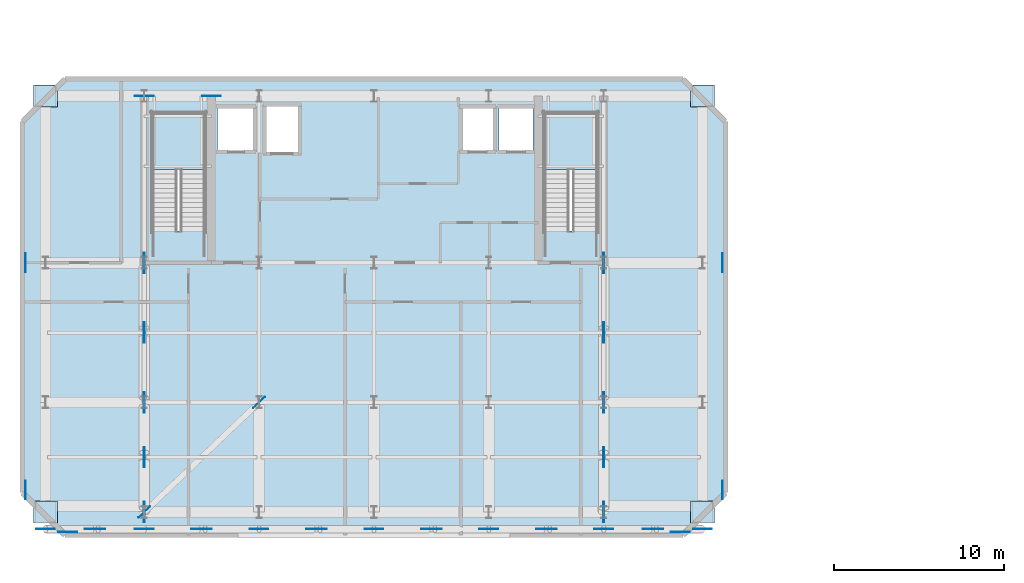
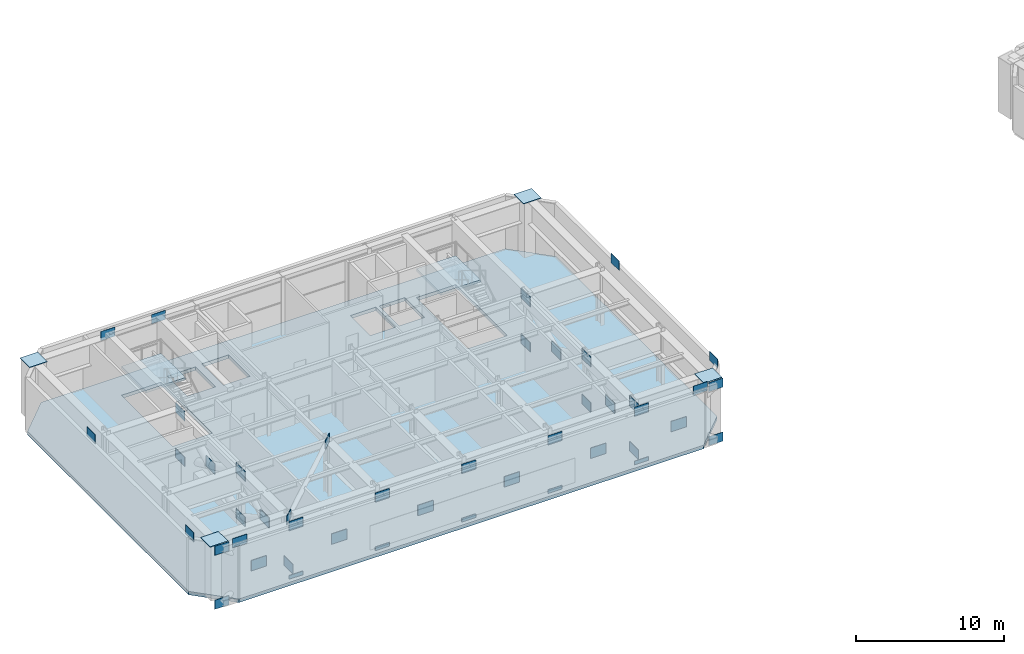
# One storey, part 6 of 15: 49 plates, 3 slabs, 2 elements without a shape of their own.
"""IFC4 building model written with IfcOpenShell, lengths in metres."""

from ifc_helpers import new_model, si_unit, direction, frame, origin, origin_2d, place, context, subcontext, project, spatial, polyline, rectangle, outline, extrude, material, layer, layer_set, type_object, element, aggregate, save


model = new_model("IFC4")

# Units and contexts
model_context = context("Model", 3, precision=1e-05, world=origin(), true_north=direction((0.0, 1.0)))
body_context = subcontext(model_context, "Body", "Model", "MODEL_VIEW")
ifc_project = project(units=[si_unit("LENGTHUNIT", "METRE"), si_unit("AREAUNIT", "SQUARE_METRE"), si_unit("VOLUMEUNIT", "CUBIC_METRE"), si_unit("PLANEANGLEUNIT", "RADIAN"), si_unit("MASSUNIT", "GRAM", prefix="KILO")], contexts=[model_context])

# Site, building, storey
site_placement = place(None, origin())
site = spatial("IfcSite", under=ifc_project, at=site_placement, CompositionType="ELEMENT")
building_placement = place(site_placement, origin())
building = spatial("IfcBuilding", under=site, at=building_placement, Name="Haevon Station Towers", CompositionType="ELEMENT")
storey_placement = place(building_placement, frame((0.0, 0.0, 192.300048828125)))
storey = spatial("IfcBuildingStorey", under=building, at=storey_placement, Name="L53", CompositionType="ELEMENT", Elevation=192.300048828125)

# Plates
ifc_material_1 = material(Name="PL-FLG1", Category="steel")
ifc_layer_1 = layer(ifc_material_1, 0.044921875)
ifc_layer_set_1 = layer_set([ifc_layer_1], Name="PL-FLG1")
plate_type_1 = type_object("IfcPlateType", Name="PL-FLG1", PredefinedType="USERDEFINED", material=ifc_layer_set_1)
for number, where, z_axis, x_axis, name in (
    (1, (18.199951171875, 23.550048828125, 4.5), (0.0, 0.0, 1.0), (1.0, 0.0, 0.0), "PL-CAP-T1-L53-01-01"),
    (2, (18.199951171875, 48.0, 4.5), (0.0, 0.0, 1.0), (1.0, 0.0, 0.0), "PL-CAP-T1-L53-01-04"),
    (3, (56.800048828125, 23.550048828125, 4.5), (0.0, 0.0, 1.0), (1.0, 0.0, 0.0), "PL-CAP-T1-L53-07-01"),
    (4, (56.800048828125, 48.0, 4.5), (0.0, 0.0, 1.0), (1.0, 0.0, 0.0), "PL-CAP-T1-L53-07-04"),
):
    element("IfcPlate", number, at=place(storey_placement, frame(where, z_axis=z_axis, x_axis=x_axis)), inside=storey, type_object=plate_type_1, Name=name, ObjectType="FLANGE_PLATE", PredefinedType="USERDEFINED", context=body_context, shape_type="SweptSolid", body=[
        extrude(rectangle(XDim=1.389892578125, YDim=1.2900390625, at=origin_2d()), origin(), (0.0, 0.0, 1.0), 0.0400390625),
    ])
ifc_material_2 = material(Name="PL-FLG2", Category="steel")
ifc_layer_2 = layer(ifc_material_2, 0.035888671875)
ifc_layer_set_2 = layer_set([ifc_layer_2], Name="PL-FLG2")
plate_type_2 = type_object("IfcPlateType", Name="PL-FLG2", PredefinedType="USERDEFINED", material=ifc_layer_set_2)
for number, where, z_axis, x_axis, name in (
    (5, (24.0, 23.550048828125, 3.98974609375), (0.0, 0.0, 1.0), (0.722991261815, 0.690857174342, 0.0), "PL-T1TIE-L53-E1"),
    (6, (30.75, 30.0, 3.98974609375), (0.0, 0.0, 1.0), (0.722991261815, 0.690857174342, 0.0), "PL-T1TIE-L53-E2"),
):
    element("IfcPlate", number, at=place(storey_placement, frame(where, z_axis=z_axis, x_axis=x_axis)), inside=storey, type_object=plate_type_2, Name=name, ObjectType="FLANGE_PLATE", PredefinedType="USERDEFINED", context=body_context, shape_type="SweptSolid", body=[
        extrude(rectangle(XDim=0.949951171875, YDim=0.035888671875, at=origin_2d()), origin(), (0.0, 0.0, 1.0), 0.699951171875),
    ])
ifc_material_3 = material(Name="PL-GUS2", Category="steel")
ifc_layer_3 = layer(ifc_material_3, 0.031982421875)
ifc_layer_set_3 = layer_set([ifc_layer_3], Name="PL-GUS2")
plate_type_3 = type_object("IfcPlateType", Name="PL-GUS2", PredefinedType="USERDEFINED", material=ifc_layer_set_3)
for number, where, z_axis, x_axis, name in (
    (7, (24.0, 26.77490234375, 1.824951171875), (0.0, 0.0, 1.0), (0.0, 1.0, 0.0), "PL-T1OUTX-L53-1-1"),
    (8, (24.0, 34.10009765625, 1.824951171875), (0.0, 0.0, 1.0), (0.0, 1.0, 0.0), "PL-T1OUTX-L53-1-2"),
    (9, (24.0, 23.550048828125, -0.0751953125), (0.0, 0.0, 1.0), (0.0, 1.0, 0.0), "PL-T1OUTGUS-L53-1-1B"),
    (10, (24.0, 30.0, -0.0751953125), (0.0, 0.0, 1.0), (0.0, 1.0, 0.0), "PL-T1OUTGUS-L53-1-2B"),
    (11, (24.0, 30.0, 3.724853515625), (0.0, 0.0, 1.0), (0.0, 1.0, 0.0), "PL-T1OUTGUS-L53-1-2T"),
    (12, (24.0, 38.199951171875, -0.0751953125), (0.0, 0.0, 1.0), (0.0, 1.0, 0.0), "PL-T1OUTGUS-L53-1-3B"),
    (13, (24.0, 38.199951171875, 3.724853515625), (0.0, 0.0, 1.0), (0.0, 1.0, 0.0), "PL-T1OUTGUS-L53-1-3T"),
    (14, (51.0, 26.77490234375, 1.824951171875), (0.0, 0.0, 1.0), (0.0, 1.0, 0.0), "PL-T1OUTX-L53-2-1"),
    (15, (51.0, 34.10009765625, 1.824951171875), (0.0, 0.0, 1.0), (0.0, 1.0, 0.0), "PL-T1OUTX-L53-2-2"),
    (16, (51.0, 23.550048828125, -0.0751953125), (0.0, 0.0, 1.0), (0.0, 1.0, 0.0), "PL-T1OUTGUS-L53-2-1B"),
    (17, (51.0, 23.550048828125, 3.724853515625), (0.0, 0.0, 1.0), (0.0, 1.0, 0.0), "PL-T1OUTGUS-L53-2-1T"),
    (18, (51.0, 30.0, -0.0751953125), (0.0, 0.0, 1.0), (0.0, 1.0, 0.0), "PL-T1OUTGUS-L53-2-2B"),
    (19, (51.0, 30.0, 3.724853515625), (0.0, 0.0, 1.0), (0.0, 1.0, 0.0), "PL-T1OUTGUS-L53-2-2T"),
    (20, (51.0, 38.199951171875, -0.0751953125), (0.0, 0.0, 1.0), (0.0, 1.0, 0.0), "PL-T1OUTGUS-L53-2-3B"),
    (21, (51.0, 38.199951171875, 3.724853515625), (0.0, 0.0, 1.0), (0.0, 1.0, 0.0), "PL-T1OUTGUS-L53-2-3T"),
    (22, (21.10009765625, 22.550048828125, 1.724853515625), (0.0, 0.0, 1.0), (1.0, 0.0, 0.0), "PL-T1BLTX-L53-1"),
    (23, (27.375, 22.550048828125, 1.724853515625), (0.0, 0.0, 1.0), (1.0, 0.0, 0.0), "PL-T1BLTX-L53-2"),
    (24, (34.125, 22.550048828125, 1.724853515625), (0.0, 0.0, 1.0), (1.0, 0.0, 0.0), "PL-T1BLTX-L53-3"),
    (25, (40.875, 22.550048828125, 1.724853515625), (0.0, 0.0, 1.0), (1.0, 0.0, 0.0), "PL-T1BLTX-L53-4"),
    (26, (47.625, 22.550048828125, 1.724853515625), (0.0, 0.0, 1.0), (1.0, 0.0, 0.0), "PL-T1BLTX-L53-5"),
    (27, (53.89990234375, 22.550048828125, 1.724853515625), (0.0, 0.0, 1.0), (1.0, 0.0, 0.0), "PL-T1BLTX-L53-6"),
):
    element("IfcPlate", number, at=place(storey_placement, frame(where, z_axis=z_axis, x_axis=x_axis)), inside=storey, type_object=plate_type_3, Name=name, ObjectType="GUSSET_PLATE", PredefinedType="USERDEFINED", context=body_context, shape_type="SweptSolid", body=[
        extrude(rectangle(XDim=1.199951171875, YDim=0.031982421875, at=origin_2d()), origin(), (0.0, 0.0, 1.0), 0.85009765625),
    ])
ifc_material_4 = material(Name="PL-SPL1", Category="steel")
ifc_layer_4 = layer(ifc_material_4, 0.031982421875)
ifc_layer_set_4 = layer_set([ifc_layer_4], Name="PL-SPL1")
plate_type_4 = type_object("IfcPlateType", Name="PL-SPL1", PredefinedType="USERDEFINED", material=ifc_layer_set_4)
for number, where, z_axis, x_axis, name in (
    (28, (19.5, 22.3798828125, 4.27490234375), (0.0, 0.0, 1.0), (1.0, 0.0, 0.0), "PL-T1SPL-T07-S-3"),
    (29, (55.5, 22.3798828125, 4.27490234375), (0.0, 0.0, 1.0), (1.0, 0.0, 0.0), "PL-T1SPL-T07-S-4"),
    (30, (24.0, 48.0, 4.27490234375), (0.0, 0.0, 1.0), (1.0, 0.0, 0.0), "PL-T1SPL-T07-N-3"),
    (31, (27.949951171875, 48.0, 4.27490234375), (0.0, 0.0, 1.0), (1.0, 0.0, 0.0), "PL-T1SPL-T07-N-4"),
    (32, (17.030029296875, 24.85009765625, 4.27490234375), (0.0, 0.0, 1.0), (0.0, 1.0, 0.0), "PL-T1SPL-T07-W-3"),
    (33, (17.030029296875, 38.199951171875, 4.27490234375), (0.0, 0.0, 1.0), (0.0, 1.0, 0.0), "PL-T1SPL-T07-W-4"),
    (34, (57.969970703125, 24.85009765625, 4.27490234375), (0.0, 0.0, 1.0), (0.0, 1.0, 0.0), "PL-T1SPL-T07-E-3"),
    (35, (57.969970703125, 38.199951171875, 4.27490234375), (0.0, 0.0, 1.0), (0.0, 1.0, 0.0), "PL-T1SPL-T07-E-4"),
    (36, (18.199951171875, 22.550048828125, -0.455078125), (0.0, 0.0, 1.0), (1.0, 0.0, 0.0), "PL-T1BLTN-L53-1B"),
    (37, (18.199951171875, 22.550048828125, 4.0048828125), (0.0, 0.0, 1.0), (1.0, 0.0, 0.0), "PL-T1BLTN-L53-1T"),
    (38, (24.0, 22.550048828125, -0.455078125), (0.0, 0.0, 1.0), (1.0, 0.0, 0.0), "PL-T1BLTN-L53-2B"),
    (39, (24.0, 22.550048828125, 4.0048828125), (0.0, 0.0, 1.0), (1.0, 0.0, 0.0), "PL-T1BLTN-L53-2T"),
    (40, (30.75, 22.550048828125, -0.455078125), (0.0, 0.0, 1.0), (1.0, 0.0, 0.0), "PL-T1BLTN-L53-3B"),
    (41, (30.75, 22.550048828125, 4.0048828125), (0.0, 0.0, 1.0), (1.0, 0.0, 0.0), "PL-T1BLTN-L53-3T"),
    (42, (37.5, 22.550048828125, -0.455078125), (0.0, 0.0, 1.0), (1.0, 0.0, 0.0), "PL-T1BLTN-L53-4B"),
    (43, (37.5, 22.550048828125, 4.0048828125), (0.0, 0.0, 1.0), (1.0, 0.0, 0.0), "PL-T1BLTN-L53-4T"),
    (44, (44.25, 22.550048828125, -0.455078125), (0.0, 0.0, 1.0), (1.0, 0.0, 0.0), "PL-T1BLTN-L53-5B"),
    (45, (44.25, 22.550048828125, 4.0048828125), (0.0, 0.0, 1.0), (1.0, 0.0, 0.0), "PL-T1BLTN-L53-5T"),
    (46, (51.0, 22.550048828125, -0.455078125), (0.0, 0.0, 1.0), (1.0, 0.0, 0.0), "PL-T1BLTN-L53-6B"),
    (47, (51.0, 22.550048828125, 4.0048828125), (0.0, 0.0, 1.0), (1.0, 0.0, 0.0), "PL-T1BLTN-L53-6T"),
    (48, (56.800048828125, 22.550048828125, -0.455078125), (0.0, 0.0, 1.0), (1.0, 0.0, 0.0), "PL-T1BLTN-L53-7B"),
    (49, (56.800048828125, 22.550048828125, 4.0048828125), (0.0, 0.0, 1.0), (1.0, 0.0, 0.0), "PL-T1BLTN-L53-7T"),
):
    element("IfcPlate", number, at=place(storey_placement, frame(where, z_axis=z_axis, x_axis=x_axis)), inside=storey, type_object=plate_type_4, Name=name, ObjectType="SPLICE_PLATE", PredefinedType="USERDEFINED", context=body_context, shape_type="SweptSolid", body=[
        extrude(rectangle(XDim=1.10009765625, YDim=0.031982421875, at=origin_2d()), origin(), (0.0, 0.0, 1.0), 0.75),
    ])

# Stair, slab
ifc_material_5 = material(Name="Concrete C40/50", Category="concrete")
stair_type = type_object("IfcStairType", Name="STR-DL1450", PredefinedType="USERDEFINED", material=ifc_material_5)
stair_1_placement = place(storey_placement, origin())
stair_1 = element("IfcStair", 50, at=stair_1_placement, inside=storey, type_object=stair_type, Name="L53 Escape Stair ST1", ObjectType="TWO_RETURN_STAIR", PredefinedType="USERDEFINED")
ifc_layer_5 = layer(ifc_material_5, 0.199951171875)
ifc_layer_set_5 = layer_set([ifc_layer_5], Name="Concrete C40/50")
slab_type_1 = type_object("IfcSlabType", Name="SL-LND200", PredefinedType="LANDING", material=ifc_layer_set_5)
slab_1_placement = place(storey_placement, frame((0.0, 0.0, 2.199951171875)))
slab_1 = element("IfcSlab", 51, at=slab_1_placement, type_object=slab_type_1, Name="L53 ST1 Half Landing 1", PredefinedType="LANDING", context=body_context, shape_type="SweptSolid", body=[
    extrude(outline(polyline([(27.580078125, 43.68408203125), (27.580078125, 47.0), (24.47998046875, 47.0), (24.47998046875, 43.68408203125), (27.580078125, 43.68408203125)])), origin(), (0.0, 0.0, 1.0), 0.199951171875),
])
aggregate(stair_1, [slab_1])

stair_2_placement = place(storey_placement, origin())
stair_2 = element("IfcStair", 52, at=stair_2_placement, inside=storey, type_object=stair_type, Name="L53 Escape Stair ST2", ObjectType="TWO_RETURN_STAIR", PredefinedType="USERDEFINED")
slab_2_placement = place(storey_placement, frame((0.0, 0.0, 2.199951171875)))
slab_2 = element("IfcSlab", 53, at=slab_2_placement, type_object=slab_type_1, Name="L53 ST2 Half Landing 1", PredefinedType="LANDING", context=body_context, shape_type="SweptSolid", body=[
    extrude(outline(polyline([(50.6201171875, 43.68408203125), (50.6201171875, 47.0), (47.52001953125, 47.0), (47.52001953125, 43.68408203125), (50.6201171875, 43.68408203125)])), origin(), (0.0, 0.0, 1.0), 0.199951171875),
])
aggregate(stair_2, [slab_2])

# Slab
ifc_layer_6 = layer(ifc_material_5, 0.280029296875)
ifc_layer_set_6 = layer_set([ifc_layer_6], Name="Concrete C40/50")
slab_type_2 = type_object("IfcSlabType", Name="SL-REF280", PredefinedType="FLOOR", material=ifc_layer_set_6)
slab_3_placement = place(storey_placement, frame((0.0, 0.0, -0.280029296875)))
element("IfcSlab", 54, at=slab_3_placement, inside=storey, type_object=slab_type_2, Name="SL-T1-L53", PredefinedType="FLOOR", context=body_context, shape_type="SweptSolid", body=[
    extrude(outline(polyline([(19.35009765625, 22.199951171875), (55.64990234375, 22.199951171875), (58.14990234375, 24.699951171875), (58.14990234375, 46.5), (55.64990234375, 49.0), (19.35009765625, 49.0), (16.85009765625, 46.5), (16.85009765625, 24.699951171875), (19.35009765625, 22.199951171875)]), holes=[polyline([(27.580078125, 40.055908203125), (27.580078125, 47.0), (24.47998046875, 47.0), (24.47998046875, 40.055908203125), (27.580078125, 40.055908203125)]), polyline([(50.6201171875, 40.055908203125), (50.6201171875, 47.0), (47.52001953125, 47.0), (47.52001953125, 40.055908203125), (50.6201171875, 40.055908203125)]), polyline([(28.300048828125, 44.699951171875), (30.5, 44.699951171875), (30.5, 47.39990234375), (28.300048828125, 47.39990234375), (28.300048828125, 44.699951171875)]), polyline([(31.050048828125, 44.60009765625), (33.14990234375, 44.60009765625), (33.14990234375, 47.5), (31.050048828125, 47.5), (31.050048828125, 44.60009765625)]), polyline([(42.60009765625, 44.699951171875), (44.60009765625, 44.699951171875), (44.60009765625, 47.39990234375), (42.60009765625, 47.39990234375), (42.60009765625, 44.699951171875)]), polyline([(44.85009765625, 44.699951171875), (46.85009765625, 44.699951171875), (46.85009765625, 47.39990234375), (44.85009765625, 47.39990234375), (44.85009765625, 44.699951171875)])]), origin(), (0.0, 0.0, 1.0), 0.280029296875),
])

save(model, "model.ifc")
